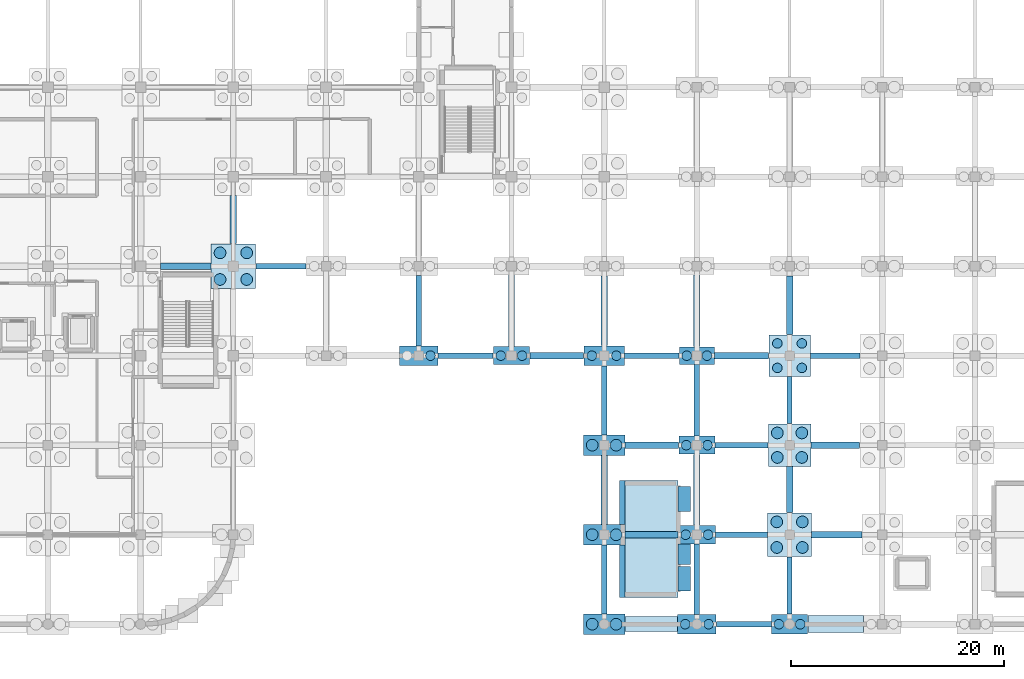
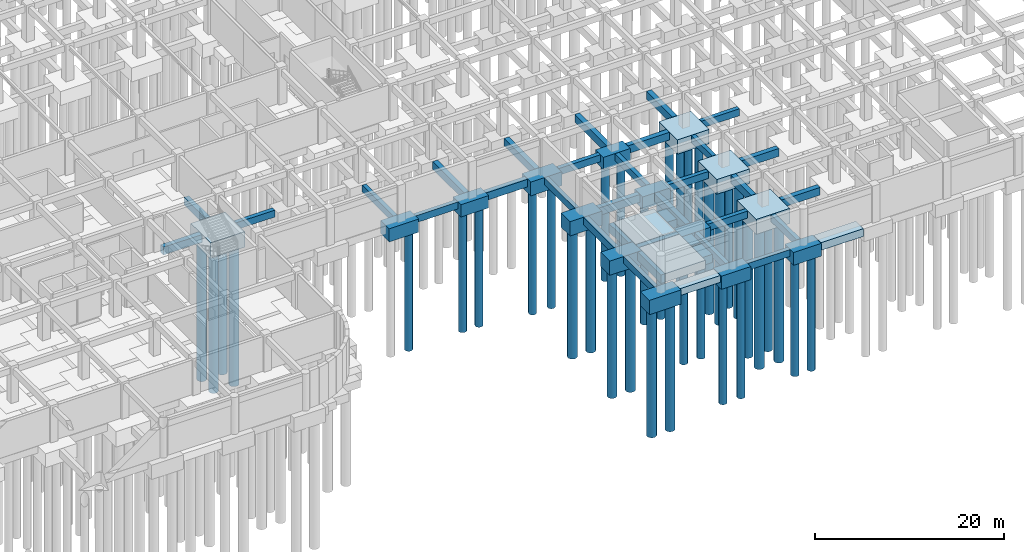
# One storey, part 5 of 33: 53 footings, 37 piles.
"""IFC4 building model written with IfcOpenShell, lengths in metres."""

from ifc_helpers import new_model, si_unit, derived_unit, direction, frame, origin, origin_2d, place, context, subcontext, project, spatial, rectangle, circle, extrude, material, material_profile, profile_set, type_object, element, save


model = new_model("IFC4")

# Units and contexts
model_context = context("Model", 3, precision=1e-05, world=origin(), true_north=direction((0.0, 1.0)))
body_context = subcontext(model_context, "Body", "Model", "MODEL_VIEW")
ifc_project = project(units=[si_unit("LENGTHUNIT", "METRE"), si_unit("AREAUNIT", "SQUARE_METRE"), si_unit("VOLUMEUNIT", "CUBIC_METRE"), si_unit("PLANEANGLEUNIT", "RADIAN"), si_unit("MASSUNIT", "GRAM", prefix="KILO"), derived_unit("THERMALTRANSMITTANCEUNIT", [(si_unit("MASSUNIT", "GRAM", prefix="KILO"), 1), (si_unit("TIMEUNIT", "SECOND"), -3), (si_unit("THERMODYNAMICTEMPERATUREUNIT", "KELVIN"), -1)])], contexts=[model_context])

# Site, building, storey
site_placement = place(None, origin())
site = spatial("IfcSite", under=ifc_project, at=site_placement, CompositionType="ELEMENT")
building_placement = place(site_placement, origin())
building = spatial("IfcBuilding", under=site, at=building_placement, Name="Qinzheling Arcade Emporium", CompositionType="ELEMENT")
storey_placement = place(building_placement, frame((0.0, 0.0, -9.60009765625)))
storey = spatial("IfcBuildingStorey", under=building, at=storey_placement, Name="B2", CompositionType="ELEMENT", Elevation=-9.60009765625)

# Footings
ifc_material = material(Name="Concrete C40", Category="concrete")
footing_type_1 = type_object("IfcFootingType", Name="Arcade Pad Footing 2400x2400x1050 C40", PredefinedType="PAD_FOOTING", material=ifc_material)
for number, where, z_axis, x_axis, name in (
    (1, (111.9150390625, 11.75, -1.0498046875), (0.0, 0.0, 1.0), (1.0, 0.0, 0.0), "Retaining Wall Pad Footing FND-PF-RW-093"),
    (2, (111.9150390625, 4.25, -1.0498046875), (0.0, 0.0, 1.0), (1.0, 0.0, 0.0), "Retaining Wall Pad Footing FND-PF-RW-095"),
):
    element("IfcFooting", number, at=place(storey_placement, frame(where, z_axis=z_axis, x_axis=x_axis)), inside=storey, type_object=footing_type_1, Name=name, PredefinedType="PAD_FOOTING", context=body_context, shape_type="SweptSolid", body=[
        extrude(rectangle(XDim=1.160888671875, YDim=2.300048828125, at=origin_2d()), origin(), (0.0, 0.0, 1.0), 1.050048828125),
    ])
footing_type_2 = type_object("IfcFootingType", Name="Canopy Pad Footing 2600x2600x1100 C40", PredefinedType="PAD_FOOTING", material=ifc_material)
footing_1_placement = place(storey_placement, frame((106.10205078125, 4.965087890625, -1.099853515625), z_axis=(0.0, 0.0, 1.0), x_axis=(1.0, 0.0, 0.0)))
element("IfcFooting", 3, at=footing_1_placement, inside=storey, type_object=footing_type_2, Name="Stair Core Mat Pad FND-PF-ST-ST05-1", PredefinedType="PAD_FOOTING", context=body_context, shape_type="SweptSolid", body=[
    extrude(rectangle(XDim=0.490966796875, YDim=4.926025390625, at=origin_2d()), origin(), (0.0, 0.0, 1.0), 1.10009765625),
])
footing_2_placement = place(storey_placement, frame((106.10205078125, 11.43505859375, -1.099853515625), z_axis=(0.0, 0.0, 1.0), x_axis=(1.0, 0.0, 0.0)))
element("IfcFooting", 4, at=footing_2_placement, inside=storey, type_object=footing_type_2, Name="Stair Core Mat Pad FND-PF-ST-ST05-2", PredefinedType="PAD_FOOTING", context=body_context, shape_type="SweptSolid", body=[
    extrude(rectangle(XDim=0.490966796875, YDim=4.1259765625, at=origin_2d()), origin(), (0.0, 0.0, 1.0), 1.10009765625),
])
footing_3_placement = place(storey_placement, frame((108.85009765625, 5.2900390625, -1.099853515625), z_axis=(0.0, 0.0, 1.0), x_axis=(1.0, 0.0, 0.0)))
element("IfcFooting", 5, at=footing_3_placement, inside=storey, type_object=footing_type_2, Name="Stair Core Mat Pad FND-PF-ST-ST05-3", PredefinedType="PAD_FOOTING", context=body_context, shape_type="SweptSolid", body=[
    extrude(rectangle(XDim=4.9560546875, YDim=5.575927734375, at=origin_2d()), origin(), (0.0, 0.0, 1.0), 1.10009765625),
])
footing_4_placement = place(storey_placement, frame((108.85009765625, 11.110107421875, -1.099853515625), z_axis=(0.0, 0.0, 1.0), x_axis=(1.0, 0.0, 0.0)))
element("IfcFooting", 6, at=footing_4_placement, inside=storey, type_object=footing_type_2, Name="Stair Core Mat Pad FND-PF-ST-ST05-4", PredefinedType="PAD_FOOTING", context=body_context, shape_type="SweptSolid", body=[
    extrude(rectangle(XDim=4.9560546875, YDim=4.77587890625, at=origin_2d()), origin(), (0.0, 0.0, 1.0), 1.10009765625),
])
footing_type_3 = type_object("IfcFootingType", Name="Core Strip Footing 1400x900 C40", PredefinedType="STRIP_FOOTING", material=ifc_material)
footing_5_placement = place(storey_placement, frame((108.824951171875, 0.0, -0.89990234375), z_axis=(0.0, 0.0, 1.0), x_axis=(1.0, 0.0, 0.0)))
element("IfcFooting", 7, at=footing_5_placement, inside=storey, type_object=footing_type_3, Name="Foundation Tie FND-SF-003", PredefinedType="STRIP_FOOTING", context=body_context, shape_type="SweptSolid", body=[
    extrude(rectangle(XDim=4.909912109375, YDim=1.39990234375, at=origin_2d()), origin(), (0.0, 0.0, 1.0), 0.89990234375),
])
footing_type_4 = type_object("IfcFootingType", Name="Foundation Tie Beam 500x900 C40", PredefinedType="FOOTING_BEAM", material=ifc_material)
footing_6_placement = place(storey_placement, frame((117.5, 0.0, -0.89990234375), z_axis=(0.0, 0.0, 1.0), x_axis=(1.0, 0.0, 0.0)))
element("IfcFooting", 8, at=footing_6_placement, inside=storey, type_object=footing_type_4, Name="Foundation Tie FND-FB-003", PredefinedType="FOOTING_BEAM", context=body_context, shape_type="SweptSolid", body=[
    extrude(rectangle(XDim=5.159912109375, YDim=0.5, at=origin_2d()), origin(), (0.0, 0.0, 1.0), 0.89990234375),
])
footing_7_placement = place(storey_placement, frame((117.300048828125, 8.39990234375, -0.89990234375), z_axis=(0.0, 0.0, 1.0), x_axis=(1.0, 0.0, 0.0)))
element("IfcFooting", 9, at=footing_7_placement, inside=storey, type_object=footing_type_4, Name="Foundation Tie FND-FB-013", PredefinedType="FOOTING_BEAM", context=body_context, shape_type="SweptSolid", body=[
    extrude(rectangle(XDim=4.860107421875, YDim=0.5, at=origin_2d()), origin(), (0.0, 0.0, 1.0), 0.89990234375),
])
footing_8_placement = place(storey_placement, frame((117.300048828125, 16.800048828125, -0.89990234375), z_axis=(0.0, 0.0, 1.0), x_axis=(1.0, 0.0, 0.0)))
element("IfcFooting", 10, at=footing_8_placement, inside=storey, type_object=footing_type_4, Name="Foundation Tie FND-FB-027", PredefinedType="FOOTING_BEAM", context=body_context, shape_type="SweptSolid", body=[
    extrude(rectangle(XDim=4.9599609375, YDim=0.5, at=origin_2d()), origin(), (0.0, 0.0, 1.0), 0.89990234375),
])
footing_9_placement = place(storey_placement, frame((91.39990234375, 25.199951171875, -0.89990234375), z_axis=(0.0, 0.0, 1.0), x_axis=(1.0, 0.0, 0.0)))
element("IfcFooting", 11, at=footing_9_placement, inside=storey, type_object=footing_type_4, Name="Foundation Tie FND-FB-043", PredefinedType="FOOTING_BEAM", context=body_context, shape_type="SweptSolid", body=[
    extrude(rectangle(XDim=5.159912109375, YDim=0.5, at=origin_2d()), origin(), (0.0, 0.0, 1.0), 0.89990234375),
])
footing_10_placement = place(storey_placement, frame((108.875, 25.199951171875, -0.89990234375), z_axis=(0.0, 0.0, 1.0), x_axis=(1.0, 0.0, 0.0)))
element("IfcFooting", 12, at=footing_10_placement, inside=storey, type_object=footing_type_4, Name="Foundation Tie FND-FB-045", PredefinedType="FOOTING_BEAM", context=body_context, shape_type="SweptSolid", body=[
    extrude(rectangle(XDim=5.110107421875, YDim=0.5, at=origin_2d()), origin(), (0.0, 0.0, 1.0), 0.89990234375),
])
footing_11_placement = place(storey_placement, frame((126.10009765625, 25.199951171875, -0.89990234375), z_axis=(0.0, 0.0, 1.0), x_axis=(1.0, 0.0, 0.0)))
element("IfcFooting", 13, at=footing_11_placement, inside=storey, type_object=footing_type_4, Name="Foundation Tie FND-FB-047", PredefinedType="FOOTING_BEAM", context=body_context, shape_type="SweptSolid", body=[
    extrude(rectangle(XDim=4.659912109375, YDim=0.5, at=origin_2d()), origin(), (0.0, 0.0, 1.0), 0.89990234375),
])
footing_12_placement = place(storey_placement, frame((74.074951171875, 33.60009765625, -0.89990234375), z_axis=(0.0, 0.0, 1.0), x_axis=(1.0, 0.0, 0.0)))
element("IfcFooting", 14, at=footing_12_placement, inside=storey, type_object=footing_type_4, Name="Foundation Tie FND-FB-061", PredefinedType="FOOTING_BEAM", context=body_context, shape_type="SweptSolid", body=[
    extrude(rectangle(XDim=4.7099609375, YDim=0.5, at=origin_2d()), origin(), (0.0, 0.0, 1.0), 0.89990234375),
])
footing_13_placement = place(storey_placement, frame((87.0, 29.4130859375, -0.89990234375), z_axis=(0.0, 0.0, 1.0), x_axis=(1.0, 0.0, 0.0)))
element("IfcFooting", 15, at=footing_13_placement, inside=storey, type_object=footing_type_4, Name="Foundation Tie FND-FB-255", PredefinedType="FOOTING_BEAM", context=body_context, shape_type="SweptSolid", body=[
    extrude(rectangle(XDim=0.5, YDim=6.5849609375, at=origin_2d()), origin(), (0.0, 0.0, 1.0), 0.89990234375),
])
footing_14_placement = place(storey_placement, frame((104.39990234375, 4.199951171875, -0.89990234375), z_axis=(0.0, 0.0, 1.0), x_axis=(1.0, 0.0, 0.0)))
element("IfcFooting", 16, at=footing_14_placement, inside=storey, type_object=footing_type_4, Name="Foundation Tie FND-FB-273", PredefinedType="FOOTING_BEAM", context=body_context, shape_type="SweptSolid", body=[
    extrude(rectangle(XDim=0.5, YDim=6.4599609375, at=origin_2d()), origin(), (0.0, 0.0, 1.0), 0.89990234375),
])
footing_15_placement = place(storey_placement, frame((104.39990234375, 21.011962890625, -0.89990234375), z_axis=(0.0, 0.0, 1.0), x_axis=(1.0, 0.0, 0.0)))
element("IfcFooting", 17, at=footing_15_placement, inside=storey, type_object=footing_type_4, Name="Foundation Tie FND-FB-275", PredefinedType="FOOTING_BEAM", context=body_context, shape_type="SweptSolid", body=[
    extrude(rectangle(XDim=0.5, YDim=6.485107421875, at=origin_2d()), origin(), (0.0, 0.0, 1.0), 0.89990234375),
])
footing_16_placement = place(storey_placement, frame((113.10009765625, 4.212890625, -0.89990234375), z_axis=(0.0, 0.0, 1.0), x_axis=(1.0, 0.0, 0.0)))
element("IfcFooting", 18, at=footing_16_placement, inside=storey, type_object=footing_type_4, Name="Foundation Tie FND-FB-285", PredefinedType="FOOTING_BEAM", context=body_context, shape_type="SweptSolid", body=[
    extrude(rectangle(XDim=0.5, YDim=6.5849609375, at=origin_2d()), origin(), (0.0, 0.0, 1.0), 0.89990234375),
])
footing_17_placement = place(storey_placement, frame((113.10009765625, 21.012939453125, -0.89990234375), z_axis=(0.0, 0.0, 1.0), x_axis=(1.0, 0.0, 0.0)))
element("IfcFooting", 19, at=footing_17_placement, inside=storey, type_object=footing_type_4, Name="Foundation Tie FND-FB-287", PredefinedType="FOOTING_BEAM", context=body_context, shape_type="SweptSolid", body=[
    extrude(rectangle(XDim=0.5, YDim=6.68505859375, at=origin_2d()), origin(), (0.0, 0.0, 1.0), 0.89990234375),
])
footing_18_placement = place(storey_placement, frame((121.800048828125, 3.637939453125, -0.89990234375), z_axis=(0.0, 0.0, 1.0), x_axis=(1.0, 0.0, 0.0)))
element("IfcFooting", 20, at=footing_18_placement, inside=storey, type_object=footing_type_4, Name="Foundation Tie FND-FB-297", PredefinedType="FOOTING_BEAM", context=body_context, shape_type="SweptSolid", body=[
    extrude(rectangle(XDim=0.5, YDim=5.385009765625, at=origin_2d()), origin(), (0.0, 0.0, 1.0), 0.89990234375),
])
footing_19_placement = place(storey_placement, frame((121.800048828125, 21.02490234375, -0.89990234375), z_axis=(0.0, 0.0, 1.0), x_axis=(1.0, 0.0, 0.0)))
element("IfcFooting", 21, at=footing_19_placement, inside=storey, type_object=footing_type_4, Name="Foundation Tie FND-FB-299", PredefinedType="FOOTING_BEAM", context=body_context, shape_type="SweptSolid", body=[
    extrude(rectangle(XDim=0.5, YDim=4.409912109375, at=origin_2d()), origin(), (0.0, 0.0, 1.0), 0.89990234375),
])
footing_type_5 = type_object("IfcFootingType", Name="Foundation Tie Beam 600x1000 C40", PredefinedType="FOOTING_BEAM", material=ifc_material)
footing_20_placement = place(storey_placement, frame((108.85009765625, 8.39990234375, -1.0), z_axis=(0.0, 0.0, 1.0), x_axis=(1.0, 0.0, 0.0)))
element("IfcFooting", 22, at=footing_20_placement, inside=storey, type_object=footing_type_5, Name="Foundation Tie FND-FB-012", PredefinedType="FOOTING_BEAM", context=body_context, shape_type="SweptSolid", body=[
    extrude(rectangle(XDim=4.9599609375, YDim=0.60009765625, at=origin_2d()), origin(), (0.0, 0.0, 1.0), 1.0),
])
footing_21_placement = place(storey_placement, frame((126.22509765625, 8.39990234375, -1.0), z_axis=(0.0, 0.0, 1.0), x_axis=(1.0, 0.0, 0.0)))
element("IfcFooting", 23, at=footing_21_placement, inside=storey, type_object=footing_type_5, Name="Foundation Tie FND-FB-014", PredefinedType="FOOTING_BEAM", context=body_context, shape_type="SweptSolid", body=[
    extrude(rectangle(XDim=4.7099609375, YDim=0.60009765625, at=origin_2d()), origin(), (0.0, 0.0, 1.0), 1.0),
])
footing_22_placement = place(storey_placement, frame((108.875, 16.800048828125, -1.0), z_axis=(0.0, 0.0, 1.0), x_axis=(1.0, 0.0, 0.0)))
element("IfcFooting", 24, at=footing_22_placement, inside=storey, type_object=footing_type_5, Name="Foundation Tie FND-FB-026", PredefinedType="FOOTING_BEAM", context=body_context, shape_type="SweptSolid", body=[
    extrude(rectangle(XDim=5.010009765625, YDim=0.60009765625, at=origin_2d()), origin(), (0.0, 0.0, 1.0), 1.0),
])
footing_23_placement = place(storey_placement, frame((126.10009765625, 16.800048828125, -1.0), z_axis=(0.0, 0.0, 1.0), x_axis=(1.0, 0.0, 0.0)))
element("IfcFooting", 25, at=footing_23_placement, inside=storey, type_object=footing_type_5, Name="Foundation Tie FND-FB-028", PredefinedType="FOOTING_BEAM", context=body_context, shape_type="SweptSolid", body=[
    extrude(rectangle(XDim=4.56005859375, YDim=0.60009765625, at=origin_2d()), origin(), (0.0, 0.0, 1.0), 1.0),
])
for number, where, z_axis, x_axis, name in (
    (26, (99.949951171875, 25.199951171875, -1.0), (0.0, 0.0, 1.0), (1.0, 0.0, 0.0), "Foundation Tie FND-FB-044"),
    (27, (117.300048828125, 25.199951171875, -1.0), (0.0, 0.0, 1.0), (1.0, 0.0, 0.0), "Foundation Tie FND-FB-046"),
):
    element("IfcFooting", number, at=place(storey_placement, frame(where, z_axis=z_axis, x_axis=x_axis)), inside=storey, type_object=footing_type_5, Name=name, PredefinedType="FOOTING_BEAM", context=body_context, shape_type="SweptSolid", body=[
        extrude(rectangle(XDim=5.06005859375, YDim=0.60009765625, at=origin_2d()), origin(), (0.0, 0.0, 1.0), 1.0),
    ])
footing_24_placement = place(storey_placement, frame((65.125, 33.60009765625, -1.0), z_axis=(0.0, 0.0, 1.0), x_axis=(1.0, 0.0, 0.0)))
element("IfcFooting", 28, at=footing_24_placement, inside=storey, type_object=footing_type_5, Name="Foundation Tie FND-FB-060", PredefinedType="FOOTING_BEAM", context=body_context, shape_type="SweptSolid", body=[
    extrude(rectangle(XDim=4.7099609375, YDim=0.60009765625, at=origin_2d()), origin(), (0.0, 0.0, 1.0), 1.0),
])
footing_25_placement = place(storey_placement, frame((69.60009765625, 37.97509765625, -1.0), z_axis=(0.0, 0.0, 1.0), x_axis=(1.0, 0.0, 0.0)))
element("IfcFooting", 29, at=footing_25_placement, inside=storey, type_object=footing_type_5, Name="Foundation Tie FND-FB-238", PredefinedType="FOOTING_BEAM", context=body_context, shape_type="SweptSolid", body=[
    extrude(rectangle(XDim=0.60009765625, YDim=4.510009765625, at=origin_2d()), origin(), (0.0, 0.0, 1.0), 1.0),
])
footing_26_placement = place(storey_placement, frame((95.699951171875, 29.4130859375, -1.0), z_axis=(0.0, 0.0, 1.0), x_axis=(1.0, 0.0, 0.0)))
element("IfcFooting", 30, at=footing_26_placement, inside=storey, type_object=footing_type_5, Name="Foundation Tie FND-FB-264", PredefinedType="FOOTING_BEAM", context=body_context, shape_type="SweptSolid", body=[
    extrude(rectangle(XDim=0.60009765625, YDim=6.68505859375, at=origin_2d()), origin(), (0.0, 0.0, 1.0), 1.0),
])
footing_27_placement = place(storey_placement, frame((104.39990234375, 12.60009765625, -1.0), z_axis=(0.0, 0.0, 1.0), x_axis=(1.0, 0.0, 0.0)))
element("IfcFooting", 31, at=footing_27_placement, inside=storey, type_object=footing_type_5, Name="Foundation Tie FND-FB-274", PredefinedType="FOOTING_BEAM", context=body_context, shape_type="SweptSolid", body=[
    extrude(rectangle(XDim=0.60009765625, YDim=6.4599609375, at=origin_2d()), origin(), (0.0, 0.0, 1.0), 1.0),
])
footing_28_placement = place(storey_placement, frame((104.39990234375, 29.4130859375, -1.0), z_axis=(0.0, 0.0, 1.0), x_axis=(1.0, 0.0, 0.0)))
element("IfcFooting", 32, at=footing_28_placement, inside=storey, type_object=footing_type_5, Name="Foundation Tie FND-FB-276", PredefinedType="FOOTING_BEAM", context=body_context, shape_type="SweptSolid", body=[
    extrude(rectangle(XDim=0.60009765625, YDim=6.534912109375, at=origin_2d()), origin(), (0.0, 0.0, 1.0), 1.0),
])
footing_29_placement = place(storey_placement, frame((113.10009765625, 12.613037109375, -1.0), z_axis=(0.0, 0.0, 1.0), x_axis=(1.0, 0.0, 0.0)))
element("IfcFooting", 33, at=footing_29_placement, inside=storey, type_object=footing_type_5, Name="Foundation Tie FND-FB-286", PredefinedType="FOOTING_BEAM", context=body_context, shape_type="SweptSolid", body=[
    extrude(rectangle(XDim=0.60009765625, YDim=6.635009765625, at=origin_2d()), origin(), (0.0, 0.0, 1.0), 1.0),
])
footing_30_placement = place(storey_placement, frame((113.10009765625, 29.4130859375, -1.0), z_axis=(0.0, 0.0, 1.0), x_axis=(1.0, 0.0, 0.0)))
element("IfcFooting", 34, at=footing_30_placement, inside=storey, type_object=footing_type_5, Name="Foundation Tie FND-FB-288", PredefinedType="FOOTING_BEAM", context=body_context, shape_type="SweptSolid", body=[
    extrude(rectangle(XDim=0.60009765625, YDim=6.735107421875, at=origin_2d()), origin(), (0.0, 0.0, 1.0), 1.0),
])
footing_31_placement = place(storey_placement, frame((121.800048828125, 12.625, -1.0), z_axis=(0.0, 0.0, 1.0), x_axis=(1.0, 0.0, 0.0)))
element("IfcFooting", 35, at=footing_31_placement, inside=storey, type_object=footing_type_5, Name="Foundation Tie FND-FB-298", PredefinedType="FOOTING_BEAM", context=body_context, shape_type="SweptSolid", body=[
    extrude(rectangle(XDim=0.60009765625, YDim=4.31005859375, at=origin_2d()), origin(), (0.0, 0.0, 1.0), 1.0),
])
footing_32_placement = place(storey_placement, frame((121.800048828125, 29.925048828125, -1.0), z_axis=(0.0, 0.0, 1.0), x_axis=(1.0, 0.0, 0.0)))
element("IfcFooting", 36, at=footing_32_placement, inside=storey, type_object=footing_type_5, Name="Foundation Tie FND-FB-300", PredefinedType="FOOTING_BEAM", context=body_context, shape_type="SweptSolid", body=[
    extrude(rectangle(XDim=0.60009765625, YDim=5.510009765625, at=origin_2d()), origin(), (0.0, 0.0, 1.0), 1.0),
])
footing_type_6 = type_object("IfcFootingType", Name="Four-Pile Atrium Cap 4000x4000x1900 C40", PredefinedType="PILE_CAP", material=ifc_material)
footing_33_placement = place(storey_placement, frame((121.800048828125, 16.800048828125, -1.89990234375), z_axis=(0.0, 0.0, 1.0), x_axis=(1.0, 0.0, 0.0)))
element("IfcFooting", 37, at=footing_33_placement, inside=storey, type_object=footing_type_6, Name="Pile Cap FND-PC-146", PredefinedType="PILE_CAP", context=body_context, shape_type="SweptSolid", body=[
    extrude(rectangle(XDim=4.0, YDim=4.0, at=origin_2d()), origin(), (0.0, 0.0, 1.0), 1.89990234375),
])
footing_type_7 = type_object("IfcFootingType", Name="Four-Pile Core Cap 4100x4100x1950 C40", PredefinedType="PILE_CAP", material=ifc_material)
footing_34_placement = place(storey_placement, frame((121.800048828125, 8.39990234375, -1.94970703125), z_axis=(0.0, 0.0, 1.0), x_axis=(1.0, 0.0, 0.0)))
element("IfcFooting", 38, at=footing_34_placement, inside=storey, type_object=footing_type_7, Name="Pile Cap FND-PC-145", PredefinedType="PILE_CAP", context=body_context, shape_type="SweptSolid", body=[
    extrude(rectangle(XDim=4.10009765625, YDim=4.10009765625, at=origin_2d()), origin(), (0.0, 0.0, 1.0), 1.949951171875),
])
footing_type_8 = type_object("IfcFootingType", Name="Four-Pile Heavy Cap 4200x4200x2000 C40", PredefinedType="PILE_CAP", material=ifc_material)
footing_35_placement = place(storey_placement, frame((69.60009765625, 33.60009765625, -2.0), z_axis=(0.0, 0.0, 1.0), x_axis=(1.0, 0.0, 0.0)))
element("IfcFooting", 39, at=footing_35_placement, inside=storey, type_object=footing_type_8, Name="Pile Cap FND-PC-073", PredefinedType="PILE_CAP", context=body_context, shape_type="SweptSolid", body=[
    extrude(rectangle(XDim=4.199951171875, YDim=4.199951171875, at=origin_2d()), origin(), (0.0, 0.0, 1.0), 2.0),
])
footing_type_9 = type_object("IfcFootingType", Name="Four-Pile Tower Cap 3900x3900x1850 C40", PredefinedType="PILE_CAP", material=ifc_material)
footing_36_placement = place(storey_placement, frame((121.800048828125, 25.199951171875, -1.849853515625), z_axis=(0.0, 0.0, 1.0), x_axis=(1.0, 0.0, 0.0)))
element("IfcFooting", 40, at=footing_36_placement, inside=storey, type_object=footing_type_9, Name="Pile Cap FND-PC-147", PredefinedType="PILE_CAP", context=body_context, shape_type="SweptSolid", body=[
    extrude(rectangle(XDim=3.89990234375, YDim=3.89990234375, at=origin_2d()), origin(), (0.0, 0.0, 1.0), 1.85009765625),
])
footing_type_10 = type_object("IfcFootingType", Name="Loggia Pad Footing 2200x2200x1000 C40", PredefinedType="PAD_FOOTING", material=ifc_material)
footing_37_placement = place(storey_placement, frame((111.9150390625, 6.55908203125, -1.0), z_axis=(0.0, 0.0, 1.0), x_axis=(1.0, 0.0, 0.0)))
element("IfcFooting", 41, at=footing_37_placement, inside=storey, type_object=footing_type_10, Name="Retaining Wall Pad Footing FND-PF-RW-094", PredefinedType="PAD_FOOTING", context=body_context, shape_type="SweptSolid", body=[
    extrude(rectangle(XDim=1.160888671875, YDim=1.9189453125, at=origin_2d()), origin(), (0.0, 0.0, 1.0), 1.0),
])
footing_type_11 = type_object("IfcFootingType", Name="Retaining Wall Strip Footing 1600x1000 C40", PredefinedType="STRIP_FOOTING", material=ifc_material)
footing_38_placement = place(storey_placement, frame((126.125, 0.0, -1.0), z_axis=(0.0, 0.0, 1.0), x_axis=(1.0, 0.0, 0.0)))
element("IfcFooting", 42, at=footing_38_placement, inside=storey, type_object=footing_type_11, Name="Foundation Tie FND-SF-004", PredefinedType="STRIP_FOOTING", context=body_context, shape_type="SweptSolid", body=[
    extrude(rectangle(XDim=5.2099609375, YDim=1.60009765625, at=origin_2d()), origin(), (0.0, 0.0, 1.0), 1.0),
])

# Piles
ifc_material_profile_1 = material_profile(ifc_material, circle(Radius=0.550048828125, at=origin_2d()), Name="BORED D1100", Category="concrete")
ifc_profile_set_1 = profile_set([ifc_material_profile_1], Name="Concrete C40")
pile_type_1 = type_object("IfcPileType", Name="Rotary Bored Pile D1100 C40", PredefinedType="BORED", material=ifc_profile_set_1)
for number, where, z_axis, x_axis, name in (
    (43, (68.35009765625, 32.35009765625, -1.89990234375), (0.0, 0.0, -1.0), (1.0, 0.0, 0.0), "Bored Pile FND-PL-0241"),
    (44, (70.85009765625, 32.35009765625, -1.89990234375), (0.0, 0.0, -1.0), (1.0, 0.0, 0.0), "Bored Pile FND-PL-0242"),
    (45, (68.35009765625, 34.85009765625, -1.89990234375), (0.0, 0.0, -1.0), (1.0, 0.0, 0.0), "Bored Pile FND-PL-0243"),
    (46, (70.85009765625, 34.85009765625, -1.89990234375), (0.0, 0.0, -1.0), (1.0, 0.0, 0.0), "Bored Pile FND-PL-0244"),
):
    element("IfcPile", number, at=place(storey_placement, frame(where, z_axis=z_axis, x_axis=x_axis)), inside=storey, type_object=pile_type_1, Name=name, PredefinedType="BORED", context=body_context, shape_type="SweptSolid", body=[
        extrude(circle(Radius=0.550048828125, at=origin_2d()), origin(), (0.0, 0.0, 1.0), 18.0),
    ])
for number, where, z_axis, x_axis, name in (
    (47, (103.280029296875, 0.0, -1.75), (0.0, 0.0, -1.0), (1.0, 0.0, 0.0), "Bored Pile FND-PL-0361"),
    (48, (105.52001953125, 0.0, -1.75), (0.0, 0.0, -1.0), (1.0, 0.0, 0.0), "Bored Pile FND-PL-0362"),
    (49, (103.280029296875, 8.39990234375, -1.75), (0.0, 0.0, -1.0), (1.0, 0.0, 0.0), "Bored Pile FND-PL-0363"),
    (50, (105.52001953125, 8.39990234375, -1.75), (0.0, 0.0, -1.0), (1.0, 0.0, 0.0), "Bored Pile FND-PL-0364"),
    (51, (103.280029296875, 16.800048828125, -1.75), (0.0, 0.0, -1.0), (1.0, 0.0, 0.0), "Bored Pile FND-PL-0365"),
    (52, (105.52001953125, 16.800048828125, -1.75), (0.0, 0.0, -1.0), (1.0, 0.0, 0.0), "Bored Pile FND-PL-0366"),
):
    element("IfcPile", number, at=place(storey_placement, frame(where, z_axis=z_axis, x_axis=x_axis)), inside=storey, type_object=pile_type_1, Name=name, PredefinedType="BORED", context=body_context, shape_type="SweptSolid", body=[
        extrude(circle(Radius=0.550048828125, at=origin_2d()), origin(), (0.0, 0.0, 1.0), 16.5),
    ])
for number, where, z_axis, x_axis, name in (
    (53, (120.60009765625, 7.199951171875, -1.849853515625), (0.0, 0.0, -1.0), (1.0, 0.0, 0.0), "Bored Pile FND-PL-0445"),
    (54, (123.0, 7.199951171875, -1.849853515625), (0.0, 0.0, -1.0), (1.0, 0.0, 0.0), "Bored Pile FND-PL-0446"),
    (55, (120.60009765625, 9.60009765625, -1.849853515625), (0.0, 0.0, -1.0), (1.0, 0.0, 0.0), "Bored Pile FND-PL-0447"),
    (56, (123.0, 9.60009765625, -1.849853515625), (0.0, 0.0, -1.0), (1.0, 0.0, 0.0), "Bored Pile FND-PL-0448"),
):
    element("IfcPile", number, at=place(storey_placement, frame(where, z_axis=z_axis, x_axis=x_axis)), inside=storey, type_object=pile_type_1, Name=name, PredefinedType="BORED", context=body_context, shape_type="SweptSolid", body=[
        extrude(circle(Radius=0.550048828125, at=origin_2d()), origin(), (0.0, 0.0, 1.0), 18.0),
    ])
for number, where, z_axis, x_axis, name in (
    (57, (120.64990234375, 15.64990234375, -1.7998046875), (0.0, 0.0, -1.0), (1.0, 0.0, 0.0), "Bored Pile FND-PL-0449"),
    (58, (122.949951171875, 15.64990234375, -1.7998046875), (0.0, 0.0, -1.0), (1.0, 0.0, 0.0), "Bored Pile FND-PL-0450"),
    (59, (120.64990234375, 17.949951171875, -1.7998046875), (0.0, 0.0, -1.0), (1.0, 0.0, 0.0), "Bored Pile FND-PL-0451"),
    (60, (122.949951171875, 17.949951171875, -1.7998046875), (0.0, 0.0, -1.0), (1.0, 0.0, 0.0), "Bored Pile FND-PL-0452"),
):
    element("IfcPile", number, at=place(storey_placement, frame(where, z_axis=z_axis, x_axis=x_axis)), inside=storey, type_object=pile_type_1, Name=name, PredefinedType="BORED", context=body_context, shape_type="SweptSolid", body=[
        extrude(circle(Radius=0.550048828125, at=origin_2d()), origin(), (0.0, 0.0, 1.0), 17.5),
    ])
ifc_material_profile_2 = material_profile(ifc_material, circle(Radius=0.449951171875, at=origin_2d()), Name="BORED D900", Category="concrete")
ifc_profile_set_2 = profile_set([ifc_material_profile_2], Name="Concrete C40")
pile_type_2 = type_object("IfcPileType", Name="Rotary Bored Pile D900 C40", PredefinedType="BORED", material=ifc_profile_set_2)
for number, where, z_axis, x_axis, name in (
    (61, (88.10009765625, 25.199951171875, -1.599853515625), (0.0, 0.0, -1.0), (1.0, 0.0, 0.0), "Bored Pile FND-PL-0302"),
    (62, (94.699951171875, 25.199951171875, -1.5), (0.0, 0.0, -1.0), (1.0, 0.0, 0.0), "Bored Pile FND-PL-0331"),
    (63, (96.699951171875, 25.199951171875, -1.5), (0.0, 0.0, -1.0), (1.0, 0.0, 0.0), "Bored Pile FND-PL-0332"),
):
    element("IfcPile", number, at=place(storey_placement, frame(where, z_axis=z_axis, x_axis=x_axis)), inside=storey, type_object=pile_type_2, Name=name, PredefinedType="BORED", context=body_context, shape_type="SweptSolid", body=[
        extrude(circle(Radius=0.449951171875, at=origin_2d()), origin(), (0.0, 0.0, 1.0), 15.5),
    ])
for number, where, z_axis, x_axis, name in (
    (64, (103.25, 25.199951171875, -1.699951171875), (0.0, 0.0, -1.0), (1.0, 0.0, 0.0), "Bored Pile FND-PL-0367"),
    (65, (105.550048828125, 25.199951171875, -1.699951171875), (0.0, 0.0, -1.0), (1.0, 0.0, 0.0), "Bored Pile FND-PL-0368"),
):
    element("IfcPile", number, at=place(storey_placement, frame(where, z_axis=z_axis, x_axis=x_axis)), inside=storey, type_object=pile_type_2, Name=name, PredefinedType="BORED", context=body_context, shape_type="SweptSolid", body=[
        extrude(circle(Radius=0.449951171875, at=origin_2d()), origin(), (0.0, 0.0, 1.0), 16.0),
    ])
for number, where, z_axis, x_axis, name in (
    (66, (112.0, 0.0, -1.599853515625), (0.0, 0.0, -1.0), (1.0, 0.0, 0.0), "Bored Pile FND-PL-0405"),
    (67, (114.199951171875, 0.0, -1.599853515625), (0.0, 0.0, -1.0), (1.0, 0.0, 0.0), "Bored Pile FND-PL-0406"),
    (68, (112.050048828125, 8.39990234375, -1.5498046875), (0.0, 0.0, -1.0), (1.0, 0.0, 0.0), "Bored Pile FND-PL-0407"),
    (69, (114.14990234375, 8.39990234375, -1.5498046875), (0.0, 0.0, -1.0), (1.0, 0.0, 0.0), "Bored Pile FND-PL-0408"),
    (70, (112.10009765625, 16.800048828125, -1.5), (0.0, 0.0, -1.0), (1.0, 0.0, 0.0), "Bored Pile FND-PL-0409"),
    (71, (114.10009765625, 16.800048828125, -1.5), (0.0, 0.0, -1.0), (1.0, 0.0, 0.0), "Bored Pile FND-PL-0410"),
):
    element("IfcPile", number, at=place(storey_placement, frame(where, z_axis=z_axis, x_axis=x_axis)), inside=storey, type_object=pile_type_2, Name=name, PredefinedType="BORED", context=body_context, shape_type="SweptSolid", body=[
        extrude(circle(Radius=0.449951171875, at=origin_2d()), origin(), (0.0, 0.0, 1.0), 15.5),
    ])
for number, where, z_axis, x_axis, name in (
    (72, (112.14990234375, 25.199951171875, -1.5), (0.0, 0.0, -1.0), (1.0, 0.0, 0.0), "Bored Pile FND-PL-0411"),
    (73, (114.050048828125, 25.199951171875, -1.5), (0.0, 0.0, -1.0), (1.0, 0.0, 0.0), "Bored Pile FND-PL-0412"),
    (74, (120.800048828125, 0.0, -1.5498046875), (0.0, 0.0, -1.0), (1.0, 0.0, 0.0), "Bored Pile FND-PL-0443"),
    (75, (122.800048828125, 0.0, -1.5498046875), (0.0, 0.0, -1.0), (1.0, 0.0, 0.0), "Bored Pile FND-PL-0444"),
):
    element("IfcPile", number, at=place(storey_placement, frame(where, z_axis=z_axis, x_axis=x_axis)), inside=storey, type_object=pile_type_2, Name=name, PredefinedType="BORED", context=body_context, shape_type="SweptSolid", body=[
        extrude(circle(Radius=0.449951171875, at=origin_2d()), origin(), (0.0, 0.0, 1.0), 15.0),
    ])
for number, where, z_axis, x_axis, name in (
    (76, (120.64990234375, 24.050048828125, -1.75), (0.0, 0.0, -1.0), (1.0, 0.0, 0.0), "Bored Pile FND-PL-0453"),
    (77, (122.949951171875, 24.050048828125, -1.75), (0.0, 0.0, -1.0), (1.0, 0.0, 0.0), "Bored Pile FND-PL-0454"),
    (78, (120.64990234375, 26.35009765625, -1.75), (0.0, 0.0, -1.0), (1.0, 0.0, 0.0), "Bored Pile FND-PL-0455"),
    (79, (122.949951171875, 26.35009765625, -1.75), (0.0, 0.0, -1.0), (1.0, 0.0, 0.0), "Bored Pile FND-PL-0456"),
):
    element("IfcPile", number, at=place(storey_placement, frame(where, z_axis=z_axis, x_axis=x_axis)), inside=storey, type_object=pile_type_2, Name=name, PredefinedType="BORED", context=body_context, shape_type="SweptSolid", body=[
        extrude(circle(Radius=0.449951171875, at=origin_2d()), origin(), (0.0, 0.0, 1.0), 17.5),
    ])

# Footings
footing_type_12 = type_object("IfcFootingType", Name="Two-Pile Court Cap 3300x1650x1600 C40", PredefinedType="PILE_CAP", material=ifc_material)
footing_39_placement = place(storey_placement, frame((113.10009765625, 25.199951171875, -1.599853515625), z_axis=(0.0, 0.0, 1.0), x_axis=(1.0, 0.0, 0.0)))
element("IfcFooting", 80, at=footing_39_placement, inside=storey, type_object=footing_type_12, Name="Pile Cap FND-PC-133", PredefinedType="PILE_CAP", context=body_context, shape_type="SweptSolid", body=[
    extrude(rectangle(XDim=3.300048828125, YDim=1.64990234375, at=origin_2d()), origin(), (0.0, 0.0, 1.0), 1.60009765625),
])
footing_type_13 = type_object("IfcFootingType", Name="Two-Pile Dock Cap 3800x1850x1800 C40", PredefinedType="PILE_CAP", material=ifc_material)
footing_40_placement = place(storey_placement, frame((104.39990234375, 25.199951171875, -1.7998046875), z_axis=(0.0, 0.0, 1.0), x_axis=(1.0, 0.0, 0.0)))
element("IfcFooting", 81, at=footing_40_placement, inside=storey, type_object=footing_type_13, Name="Pile Cap FND-PC-119", PredefinedType="PILE_CAP", context=body_context, shape_type="SweptSolid", body=[
    extrude(rectangle(XDim=3.800048828125, YDim=1.85009765625, at=origin_2d()), origin(), (0.0, 0.0, 1.0), 1.800048828125),
])
footing_type_14 = type_object("IfcFootingType", Name="Two-Pile Edge Cap 3400x1700x1600 C40", PredefinedType="PILE_CAP", material=ifc_material)
for number, where, z_axis, x_axis, name in (
    (82, (95.699951171875, 25.199951171875, -1.599853515625), (0.0, 0.0, 1.0), (1.0, 0.0, 0.0), "Pile Cap FND-PC-105"),
    (83, (113.10009765625, 16.800048828125, -1.599853515625), (0.0, 0.0, 1.0), (1.0, 0.0, 0.0), "Pile Cap FND-PC-132"),
):
    element("IfcFooting", number, at=place(storey_placement, frame(where, z_axis=z_axis, x_axis=x_axis)), inside=storey, type_object=footing_type_14, Name=name, PredefinedType="PILE_CAP", context=body_context, shape_type="SweptSolid", body=[
        extrude(rectangle(XDim=3.39990234375, YDim=1.699951171875, at=origin_2d()), origin(), (0.0, 0.0, 1.0), 1.60009765625),
    ])
footing_type_15 = type_object("IfcFootingType", Name="Two-Pile Heavy Cap 3900x1900x1850 C40", PredefinedType="PILE_CAP", material=ifc_material)
for number, where, z_axis, x_axis, name in (
    (84, (104.39990234375, 0.0, -1.849853515625), (0.0, 0.0, 1.0), (1.0, 0.0, 0.0), "Pile Cap FND-PC-116"),
    (85, (104.39990234375, 8.39990234375, -1.849853515625), (0.0, 0.0, 1.0), (1.0, 0.0, 0.0), "Pile Cap FND-PC-117"),
    (86, (104.39990234375, 16.800048828125, -1.849853515625), (0.0, 0.0, 1.0), (1.0, 0.0, 0.0), "Pile Cap FND-PC-118"),
):
    element("IfcFooting", number, at=place(storey_placement, frame(where, z_axis=z_axis, x_axis=x_axis)), inside=storey, type_object=footing_type_15, Name=name, PredefinedType="PILE_CAP", context=body_context, shape_type="SweptSolid", body=[
        extrude(rectangle(XDim=3.89990234375, YDim=1.89990234375, at=origin_2d()), origin(), (0.0, 0.0, 1.0), 1.85009765625),
    ])
footing_type_16 = type_object("IfcFootingType", Name="Two-Pile Pavilion Cap 3400x1850x1650 C40", PredefinedType="PILE_CAP", material=ifc_material)
footing_41_placement = place(storey_placement, frame((121.800048828125, 0.0, -1.64990234375), z_axis=(0.0, 0.0, 1.0), x_axis=(1.0, 0.0, 0.0)))
element("IfcFooting", 87, at=footing_41_placement, inside=storey, type_object=footing_type_16, Name="Pile Cap FND-PC-144", PredefinedType="PILE_CAP", context=body_context, shape_type="SweptSolid", body=[
    extrude(rectangle(XDim=3.39990234375, YDim=1.85009765625, at=origin_2d()), origin(), (0.0, 0.0, 1.0), 1.64990234375),
])
footing_type_17 = type_object("IfcFootingType", Name="Two-Pile Rectangular Cap 3600x1800x1700 C40", PredefinedType="PILE_CAP", material=ifc_material)
for number, where, z_axis, x_axis, name in (
    (88, (87.0, 25.199951171875, -1.69970703125), (0.0, 0.0, 1.0), (1.0, 0.0, 0.0), "Pile Cap FND-PC-094"),
    (89, (113.10009765625, 0.0, -1.69970703125), (0.0, 0.0, 1.0), (1.0, 0.0, 0.0), "Pile Cap FND-PC-130"),
):
    element("IfcFooting", number, at=place(storey_placement, frame(where, z_axis=z_axis, x_axis=x_axis)), inside=storey, type_object=footing_type_17, Name=name, PredefinedType="PILE_CAP", context=body_context, shape_type="SweptSolid", body=[
        extrude(rectangle(XDim=3.60009765625, YDim=1.800048828125, at=origin_2d()), origin(), (0.0, 0.0, 1.0), 1.699951171875),
    ])
footing_type_18 = type_object("IfcFootingType", Name="Two-Pile Spandrel Cap 3500x1750x1650 C40", PredefinedType="PILE_CAP", material=ifc_material)
footing_42_placement = place(storey_placement, frame((113.10009765625, 8.39990234375, -1.64990234375), z_axis=(0.0, 0.0, 1.0), x_axis=(1.0, 0.0, 0.0)))
element("IfcFooting", 90, at=footing_42_placement, inside=storey, type_object=footing_type_18, Name="Pile Cap FND-PC-131", PredefinedType="PILE_CAP", context=body_context, shape_type="SweptSolid", body=[
    extrude(rectangle(XDim=3.5, YDim=1.75, at=origin_2d()), origin(), (0.0, 0.0, 1.0), 1.64990234375),
])

save(model, "model.ifc")
